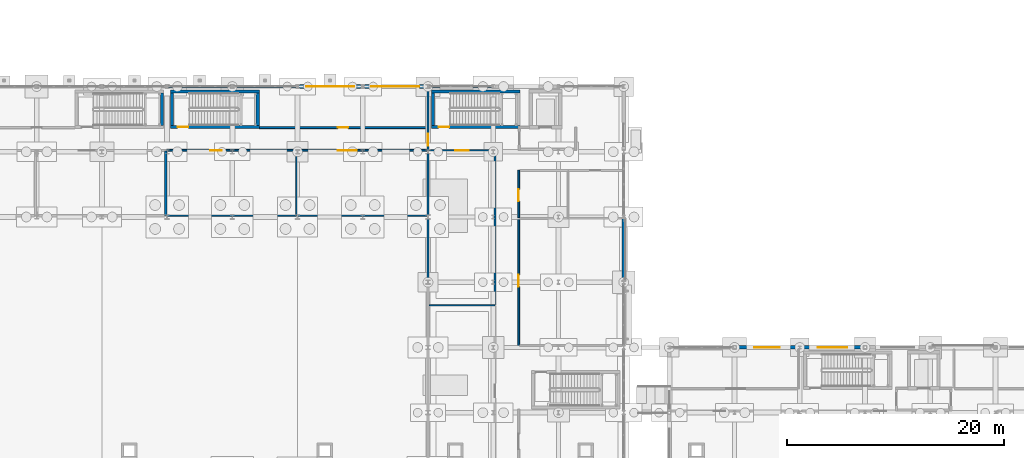
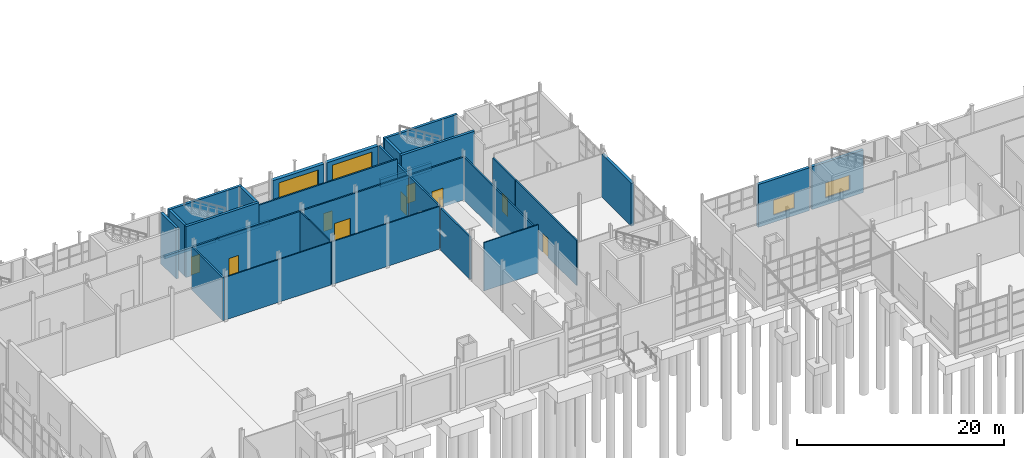
# One storey, part 97 of 120: 31 walls, 11 doors, 2 windows, 13 openings.
"""IFC4 building model written with IfcOpenShell, lengths in metres."""

from ifc_helpers import new_model, si_unit, direction, frame, frame_2d, origin, place, context, subcontext, project, spatial, rectangle, extrude, material, layer, layer_set, type_object, element, fill, save


model = new_model("IFC4")

# Units and contexts
model_context = context("Model", 3, precision=1e-05, world=origin(), true_north=direction((0.0, 1.0)))
body_context = subcontext(model_context, "Body", "Model", "MODEL_VIEW")
ifc_project = project(units=[si_unit("LENGTHUNIT", "METRE"), si_unit("AREAUNIT", "SQUARE_METRE"), si_unit("VOLUMEUNIT", "CUBIC_METRE"), si_unit("PLANEANGLEUNIT", "RADIAN"), si_unit("MASSUNIT", "GRAM", prefix="KILO")], contexts=[model_context])

# Site, building, storey
site_placement = place(None, origin())
site = spatial("IfcSite", under=ifc_project, at=site_placement, CompositionType="ELEMENT")
building_placement = place(site_placement, origin())
building = spatial("IfcBuilding", under=site, at=building_placement, Name="Siltcreek Boulevard Central Fire Station", CompositionType="ELEMENT")
storey_placement = place(building_placement, origin())
storey = spatial("IfcBuildingStorey", under=building, at=storey_placement, Name="L01", CompositionType="ELEMENT", Elevation=0.0)

# Wall
ifc_material_1 = material(Name="Concrete C40/50", Category="concrete")
ifc_layer_1 = layer(ifc_material_1, 0.280029296875, Name="Concrete C40/50")
ifc_layer_set_1 = layer_set([ifc_layer_1], Name="Concrete C40/50")
wall_type_1 = type_object("IfcWallType", Name="CW_SHEAR280", PredefinedType="SHEAR", material=ifc_layer_set_1)
wall_1_placement = place(storey_placement, frame((65.5400390625, 50.39990234375, 0.0), z_axis=(0.0, 0.0, 1.0), x_axis=(0.0, 1.0, 0.0)))
element("IfcWall", 1, at=wall_1_placement, inside=storey, type_object=wall_type_1, Name="L01 ST-V1B stair enclosure east shear wall", PredefinedType="SHEAR", context=body_context, shape_type="SweptSolid", body=[
    extrude(rectangle(XDim=3.0, YDim=0.280029296875, at=frame_2d((1.5, 0.0))), origin(), (0.0, 0.0, 1.0), 6.0),
])

# Wall, opening, door
wall_2_placement = place(storey_placement, frame((90.320068359375, 50.260009765625, 0.0), z_axis=(0.0, 0.0, 1.0), x_axis=(1.0, 0.0, 0.0)))
wall_2 = element("IfcWall", 2, at=wall_2_placement, inside=storey, type_object=wall_type_1, Name="L01 ST-V2A stair enclosure south shear wall", PredefinedType="SHEAR", context=body_context, shape_type="SweptSolid", body=[
    extrude(rectangle(XDim=8.159912109375, YDim=0.280029296875, at=frame_2d((4.080078125, 0.0))), origin(), (0.0, 0.0, 1.0), 6.0),
])
opening_1_placement = place(wall_2_placement, frame((0.64990234375, 0.0, 0.0)))
opening_1 = element("IfcOpeningElement", 3, at=opening_1_placement, cuts=wall_2, Name="Opening SD-009", PredefinedType="OPENING", context=body_context, shape_type="SweptSolid", body=[
    extrude(rectangle(XDim=0.97998046875, YDim=2.14990234375, at=frame_2d((0.489990234375, 1.074951171875))), frame((0.0, 0.14990234375, 0.0), z_axis=(0.0, -1.0, 0.0), x_axis=(1.0, 0.0, 0.0)), (0.0, 0.0, 1.0), 0.300048828125),
])
ifc_material_2 = material(Name="Hollow metal 90-min enclosed stair door")
door_type_1 = type_object("IfcDoorType", Name="DR_ST_098X215", OperationType="NOTDEFINED", PredefinedType="DOOR", material=ifc_material_2)
door_1_placement = place(opening_1_placement, origin())
door_1 = element("IfcDoor", 4, at=door_1_placement, inside=storey, type_object=door_type_1, Name="L01 ST-V2A enclosed exit stair door SD-009", OperationType="SINGLE_SWING_RIGHT", OverallHeight=2.14990234375, OverallWidth=0.97998046875, PredefinedType="DOOR", context=body_context, shape_type="SweptSolid", body=[
    extrude(rectangle(XDim=0.97998046875, YDim=2.14990234375, at=frame_2d((0.489990234375, 1.074951171875))), frame((0.0, 0.02490234375, 0.0), z_axis=(0.0, -1.0, 0.0), x_axis=(1.0, 0.0, 0.0)), (0.0, 0.0, 1.0), 0.050048828125),
])
fill(opening_1, door_1)

# Walls
wall_3_placement = place(storey_placement, frame((98.47998046875, 53.5400390625, 0.0), z_axis=(0.0, 0.0, 1.0), x_axis=(-1.0, 0.0, 0.0)))
element("IfcWall", 5, at=wall_3_placement, inside=storey, type_object=wall_type_1, Name="L01 ST-V2A stair enclosure north shear wall", PredefinedType="SHEAR", context=body_context, shape_type="SweptSolid", body=[
    extrude(rectangle(XDim=8.159912109375, YDim=0.280029296875, at=frame_2d((4.080078125, 0.0))), origin(), (0.0, 0.0, 1.0), 6.0),
])
wall_4_placement = place(storey_placement, frame((90.4599609375, 53.39990234375, 0.0), z_axis=(0.0, 0.0, 1.0), x_axis=(0.0, -1.0, 0.0)))
element("IfcWall", 6, at=wall_4_placement, inside=storey, type_object=wall_type_1, Name="L01 ST-V2A stair enclosure west shear wall", PredefinedType="SHEAR", context=body_context, shape_type="SweptSolid", body=[
    extrude(rectangle(XDim=3.0, YDim=0.280029296875, at=frame_2d((1.5, 0.0))), origin(), (0.0, 0.0, 1.0), 6.0),
])

# Wall, opening, door
wall_5_placement = place(storey_placement, frame((66.320068359375, 50.260009765625, 0.0), z_axis=(0.0, 0.0, 1.0), x_axis=(1.0, 0.0, 0.0)))
wall_5 = element("IfcWall", 7, at=wall_5_placement, inside=storey, type_object=wall_type_1, Name="L01 ST-V2C stair enclosure south shear wall", PredefinedType="SHEAR", context=body_context, shape_type="SweptSolid", body=[
    extrude(rectangle(XDim=8.159912109375, YDim=0.280029296875, at=frame_2d((4.080078125, 0.0))), origin(), (0.0, 0.0, 1.0), 6.0),
])
opening_2_placement = place(wall_5_placement, frame((0.64990234375, 0.0, 0.0)))
opening_2 = element("IfcOpeningElement", 8, at=opening_2_placement, cuts=wall_5, Name="Opening SD-015", PredefinedType="OPENING", context=body_context, shape_type="SweptSolid", body=[
    extrude(rectangle(XDim=0.97998046875, YDim=2.14990234375, at=frame_2d((0.489990234375, 1.074951171875))), frame((0.0, 0.14990234375, 0.0), z_axis=(0.0, -1.0, 0.0), x_axis=(1.0, 0.0, 0.0)), (0.0, 0.0, 1.0), 0.300048828125),
])
door_2_placement = place(opening_2_placement, origin())
door_2 = element("IfcDoor", 9, at=door_2_placement, inside=storey, type_object=door_type_1, Name="L01 ST-V2C enclosed exit stair door SD-015", OperationType="SINGLE_SWING_RIGHT", OverallHeight=2.14990234375, OverallWidth=0.97998046875, PredefinedType="DOOR", context=body_context, shape_type="SweptSolid", body=[
    extrude(rectangle(XDim=0.97998046875, YDim=2.14990234375, at=frame_2d((0.489990234375, 1.074951171875))), frame((0.0, 0.02490234375, 0.0), z_axis=(0.0, -1.0, 0.0), x_axis=(1.0, 0.0, 0.0)), (0.0, 0.0, 1.0), 0.050048828125),
])
fill(opening_2, door_2)

# Walls
wall_6_placement = place(storey_placement, frame((74.47998046875, 53.5400390625, 0.0), z_axis=(0.0, 0.0, 1.0), x_axis=(-1.0, 0.0, 0.0)))
element("IfcWall", 10, at=wall_6_placement, inside=storey, type_object=wall_type_1, Name="L01 ST-V2C stair enclosure north shear wall", PredefinedType="SHEAR", context=body_context, shape_type="SweptSolid", body=[
    extrude(rectangle(XDim=8.159912109375, YDim=0.280029296875, at=frame_2d((4.080078125, 0.0))), origin(), (0.0, 0.0, 1.0), 6.0),
])
for number, where, z_axis, x_axis, name in (
    (11, (66.4599609375, 53.39990234375, 0.0), (0.0, 0.0, 1.0), (0.0, -1.0, 0.0), "L01 ST-V2C stair enclosure west shear wall"),
    (12, (74.340087890625, 50.39990234375, 0.0), (0.0, 0.0, 1.0), (0.0, 1.0, 0.0), "L01 ST-V2C stair enclosure east shear wall"),
):
    element("IfcWall", number, at=place(storey_placement, frame(where, z_axis=z_axis, x_axis=x_axis)), inside=storey, type_object=wall_type_1, Name=name, PredefinedType="SHEAR", context=body_context, shape_type="SweptSolid", body=[
        extrude(rectangle(XDim=3.0, YDim=0.280029296875, at=frame_2d((1.5, 0.0))), origin(), (0.0, 0.0, 1.0), 6.0),
    ])

# Wall, opening, door
ifc_material_3 = material(Name="Terracotta brick rainscreen on insulated CMU", Category="masonry")
ifc_layer_2 = layer(ifc_material_3, 0.389892578125, Name="Terracotta brick rainscreen on insulated CMU")
ifc_layer_set_2 = layer_set([ifc_layer_2], Name="Terracotta brick rainscreen on insulated CMU")
wall_type_2 = type_object("IfcWallType", Name="EW_BRICK390", PredefinedType="STANDARD", material=ifc_layer_set_2)
wall_7_placement = place(storey_placement, frame((83.85498046875, 54.0, 0.0), z_axis=(0.0, 0.0, 1.0), x_axis=(-1.0, 0.0, 0.0)))
wall_7 = element("IfcWall", 13, at=wall_7_placement, inside=storey, type_object=wall_type_2, Name="L01 V1 exterior insulated rainscreen wall WL-EXT-L01-0015", PredefinedType="STANDARD", context=body_context, shape_type="SweptSolid", body=[
    extrude(rectangle(XDim=5.7099609375, YDim=0.389892578125, at=frame_2d((2.85498046875, 0.0))), origin(), (0.0, 0.0, 1.0), 5.034912109375),
])
opening_3_placement = place(wall_7_placement, frame((0.655029296875, 0.0, 0.0)))
opening_3 = element("IfcOpeningElement", 14, at=opening_3_placement, cuts=wall_7, Name="Opening ABD-06", PredefinedType="OPENING", context=body_context, shape_type="SweptSolid", body=[
    extrude(rectangle(XDim=4.39990234375, YDim=4.550048828125, at=frame_2d((2.199951171875, 2.27490234375))), frame((0.0, 0.204833984375, 0.0), z_axis=(0.0, -1.0, 0.0), x_axis=(1.0, 0.0, 0.0)), (0.0, 0.0, 1.0), 0.409912109375),
])
ifc_material_4 = material(Name="Aluminum full-vision glazed bi-fold apparatus door", Category="aluminium")
door_type_2 = type_object("IfcDoorType", Name="DR_BAY_440X455", OperationType="NOTDEFINED", PredefinedType="DOOR", material=ifc_material_4)
door_3_placement = place(opening_3_placement, frame((4.39990234375, 0.0, 0.0), z_axis=(0.0, 0.0, 1.0), x_axis=(-1.0, 0.0, 0.0)))
door_3 = element("IfcDoor", 15, at=door_3_placement, inside=storey, type_object=door_type_2, Name="Apparatus overhead bay door ABD-06", OperationType="FOLDING_TO_LEFT", OverallHeight=4.550048828125, OverallWidth=4.39990234375, PredefinedType="DOOR", context=body_context, shape_type="SweptSolid", body=[
    extrude(rectangle(XDim=4.39990234375, YDim=4.550048828125, at=frame_2d((2.199951171875, 2.27490234375))), frame((0.0, 0.02490234375, 0.0), z_axis=(0.0, -1.0, 0.0), x_axis=(1.0, 0.0, 0.0)), (0.0, 0.0, 1.0), 0.050048828125),
])
fill(opening_3, door_3)

wall_8_placement = place(storey_placement, frame((89.85498046875, 54.0, 0.0), z_axis=(0.0, 0.0, 1.0), x_axis=(-1.0, 0.0, 0.0)))
wall_8 = element("IfcWall", 16, at=wall_8_placement, inside=storey, type_object=wall_type_2, Name="L01 V1 exterior insulated rainscreen wall WL-EXT-L01-0016", PredefinedType="STANDARD", context=body_context, shape_type="SweptSolid", body=[
    extrude(rectangle(XDim=5.7099609375, YDim=0.389892578125, at=frame_2d((2.85498046875, 0.0))), origin(), (0.0, 0.0, 1.0), 5.034912109375),
])
opening_4_placement = place(wall_8_placement, frame((0.655029296875, 0.0, 0.0)))
opening_4 = element("IfcOpeningElement", 17, at=opening_4_placement, cuts=wall_8, Name="Opening ABD-07", PredefinedType="OPENING", context=body_context, shape_type="SweptSolid", body=[
    extrude(rectangle(XDim=4.39990234375, YDim=4.550048828125, at=frame_2d((2.199951171875, 2.27490234375))), frame((0.0, 0.204833984375, 0.0), z_axis=(0.0, -1.0, 0.0), x_axis=(1.0, 0.0, 0.0)), (0.0, 0.0, 1.0), 0.409912109375),
])
door_4_placement = place(opening_4_placement, frame((4.39990234375, 0.0, 0.0), z_axis=(0.0, 0.0, 1.0), x_axis=(-1.0, 0.0, 0.0)))
door_4 = element("IfcDoor", 18, at=door_4_placement, inside=storey, type_object=door_type_2, Name="Apparatus overhead bay door ABD-07", OperationType="FOLDING_TO_LEFT", OverallHeight=4.550048828125, OverallWidth=4.39990234375, PredefinedType="DOOR", context=body_context, shape_type="SweptSolid", body=[
    extrude(rectangle(XDim=4.39990234375, YDim=4.550048828125, at=frame_2d((2.199951171875, 2.27490234375))), frame((0.0, 0.02490234375, 0.0), z_axis=(0.0, -1.0, 0.0), x_axis=(1.0, 0.0, 0.0)), (0.0, 0.0, 1.0), 0.050048828125),
])
fill(opening_4, door_4)

# Walls
ifc_material_5 = material(Name="White ribbed aluminum spandrel wall", Category="aluminium")
ifc_layer_3 = layer(ifc_material_5, 0.2900390625, Name="White ribbed aluminum spandrel wall")
ifc_layer_set_3 = layer_set([ifc_layer_3], Name="White ribbed aluminum spandrel wall")
wall_type_3 = type_object("IfcWallType", Name="EW_METAL290", PredefinedType="STANDARD", material=ifc_layer_set_3)
wall_9_placement = place(storey_placement, frame((71.85498046875, 54.0, 0.0), z_axis=(0.0, 0.0, 1.0), x_axis=(-1.0, 0.0, 0.0)))
element("IfcWall", 19, at=wall_9_placement, inside=storey, type_object=wall_type_3, Name="L01 V1 curtain-wall sill spandrel 0013", PredefinedType="STANDARD", context=body_context, shape_type="SweptSolid", body=[
    extrude(rectangle(XDim=5.7099609375, YDim=0.2900390625, at=frame_2d((2.85498046875, 0.0))), origin(), (0.0, 0.0, 1.0), 0.320068359375),
])
wall_10_placement = place(storey_placement, frame((77.85498046875, 54.0, 0.0), z_axis=(0.0, 0.0, 1.0), x_axis=(-1.0, 0.0, 0.0)))
element("IfcWall", 20, at=wall_10_placement, inside=storey, type_object=wall_type_3, Name="L01 V1 curtain-wall sill spandrel 0014", PredefinedType="STANDARD", context=body_context, shape_type="SweptSolid", body=[
    extrude(rectangle(XDim=5.7099609375, YDim=0.2900390625, at=frame_2d((2.85498046875, 0.0))), origin(), (0.0, 0.0, 1.0), 0.43994140625),
])
wall_11_placement = place(storey_placement, frame((95.85498046875, 54.0, 0.0), z_axis=(0.0, 0.0, 1.0), x_axis=(-1.0, 0.0, 0.0)))
element("IfcWall", 21, at=wall_11_placement, inside=storey, type_object=wall_type_3, Name="L01 V2 curtain-wall sill spandrel 0052", PredefinedType="STANDARD", context=body_context, shape_type="SweptSolid", body=[
    extrude(rectangle(XDim=5.7099609375, YDim=0.2900390625, at=frame_2d((2.85498046875, 0.0))), origin(), (0.0, 0.0, 1.0), 0.919921875),
])
ifc_material_6 = material(Name="White ribbed aluminum insulated rainscreen panel", Category="aluminium")
ifc_layer_4 = layer(ifc_material_6, 0.320068359375, Name="White ribbed aluminum insulated rainscreen panel")
ifc_layer_set_4 = layer_set([ifc_layer_4], Name="White ribbed aluminum insulated rainscreen panel")
wall_type_4 = type_object("IfcWallType", Name="EW_METAL320", PredefinedType="STANDARD", material=ifc_layer_set_4)
wall_12_placement = place(storey_placement, frame((108.0, 36.14501953125, 0.0), z_axis=(0.0, 0.0, 1.0), x_axis=(0.0, 1.0, 0.0)))
element("IfcWall", 22, at=wall_12_placement, inside=storey, type_object=wall_type_4, Name="L01 V2 exterior insulated rainscreen wall WL-EXT-L01-0058", PredefinedType="STANDARD", context=body_context, shape_type="SweptSolid", body=[
    extrude(rectangle(XDim=5.7099609375, YDim=0.320068359375, at=frame_2d((2.85498046875, 0.0))), origin(), (0.0, 0.0, 1.0), 5.0439453125),
])

# Wall, opening, window
wall_13_placement = place(storey_placement, frame((124.054931640625, 30.0, 0.0), z_axis=(0.0, 0.0, 1.0), x_axis=(-1.0, 0.0, 0.0)))
wall_13 = element("IfcWall", 23, at=wall_13_placement, inside=storey, type_object=wall_type_4, Name="L01 V6 exterior insulated rainscreen wall WL-EXT-L01-0439", PredefinedType="STANDARD", context=body_context, shape_type="SweptSolid", body=[
    extrude(rectangle(XDim=5.7099609375, YDim=0.320068359375, at=frame_2d((2.85498046875, 0.0))), origin(), (0.0, 0.0, 1.0), 5.034912109375),
])
opening_5_placement = place(wall_13_placement, frame((1.679931640625, 0.0, 0.85009765625)))
opening_5 = element("IfcOpeningElement", 24, at=opening_5_placement, cuts=wall_13, Name="Opening WN22", PredefinedType="OPENING", context=body_context, shape_type="SweptSolid", body=[
    extrude(rectangle(XDim=2.35009765625, YDim=1.75, at=frame_2d((1.175048828125, 0.875))), frame((0.0, 0.169921875, 0.0), z_axis=(0.0, -1.0, 0.0), x_axis=(1.0, 0.0, 0.0)), (0.0, 0.0, 1.0), 0.340087890625),
])
ifc_material_7 = material(Name="Thermally broken aluminum frame with low-E insulated glass", Category="aluminium")
window_type_1 = type_object("IfcWindowType", Name="WN_PB_235X175", PartitioningType="SINGLE_PANEL", PredefinedType="WINDOW", material=ifc_material_7)
window_1_placement = place(opening_5_placement, origin())
window_1 = element("IfcWindow", 25, at=window_1_placement, inside=storey, type_object=window_type_1, Name="L01 V6 exterior window WN-0163", OverallHeight=1.75, OverallWidth=2.35009765625, PartitioningType="SINGLE_PANEL", PredefinedType="WINDOW", context=body_context, shape_type="SweptSolid", body=[
    extrude(rectangle(XDim=2.35009765625, YDim=1.75, at=frame_2d((1.175048828125, 0.875))), frame((0.0, 0.030029296875, 0.0), z_axis=(0.0, -1.0, 0.0), x_axis=(1.0, 0.0, 0.0)), (0.0, 0.0, 1.0), 0.06005859375),
])
fill(opening_5, window_1)

wall_14_placement = place(storey_placement, frame((130.054931640625, 30.0, 0.0), z_axis=(0.0, 0.0, 1.0), x_axis=(-1.0, 0.0, 0.0)))
wall_14 = element("IfcWall", 26, at=wall_14_placement, inside=storey, type_object=wall_type_4, Name="L01 V6 exterior insulated rainscreen wall WL-EXT-L01-0440", PredefinedType="STANDARD", context=body_context, shape_type="SweptSolid", body=[
    extrude(rectangle(XDim=5.7099609375, YDim=0.320068359375, at=frame_2d((2.85498046875, 0.0))), origin(), (0.0, 0.0, 1.0), 5.034912109375),
])
opening_6_placement = place(wall_14_placement, frame((1.5048828125, 0.0, 0.85009765625)))
opening_6 = element("IfcOpeningElement", 27, at=opening_6_placement, cuts=wall_14, Name="Opening WN23", PredefinedType="OPENING", context=body_context, shape_type="SweptSolid", body=[
    extrude(rectangle(XDim=2.699951171875, YDim=1.75, at=frame_2d((1.35009765625, 0.875))), frame((0.0, 0.169921875, 0.0), z_axis=(0.0, -1.0, 0.0), x_axis=(1.0, 0.0, 0.0)), (0.0, 0.0, 1.0), 0.340087890625),
])
window_type_2 = type_object("IfcWindowType", Name="WN_PB_270X175", PartitioningType="SINGLE_PANEL", PredefinedType="WINDOW", material=ifc_material_7)
window_2_placement = place(opening_6_placement, origin())
window_2 = element("IfcWindow", 28, at=window_2_placement, inside=storey, type_object=window_type_2, Name="L01 V6 exterior window WN-0164", OverallHeight=1.75, OverallWidth=2.699951171875, PartitioningType="SINGLE_PANEL", PredefinedType="WINDOW", context=body_context, shape_type="SweptSolid", body=[
    extrude(rectangle(XDim=2.699951171875, YDim=1.75, at=frame_2d((1.35009765625, 0.875))), frame((0.0, 0.030029296875, 0.0), z_axis=(0.0, -1.0, 0.0), x_axis=(1.0, 0.0, 0.0)), (0.0, 0.0, 1.0), 0.06005859375),
])
fill(opening_6, window_2)

# Walls
ifc_material_8 = material(Name="Fire-rated concrete masonry and gypsum barrier", Category="masonry")
ifc_layer_5 = layer(ifc_material_8, 0.199951171875, Name="Fire-rated concrete masonry and gypsum barrier")
ifc_layer_set_5 = layer_set([ifc_layer_5], Name="Fire-rated concrete masonry and gypsum barrier")
wall_type_5 = type_object("IfcWallType", Name="IW_FIRE200", PredefinedType="PARTITIONING", material=ifc_layer_set_5)
wall_15_placement = place(storey_placement, frame((90.0, 36.179931640625, 0.0), z_axis=(0.0, 0.0, 1.0), x_axis=(0.0, 1.0, 0.0)))
element("IfcWall", 29, at=wall_15_placement, inside=storey, type_object=wall_type_5, Name="L01 station fire-barrier wall FW-4", PredefinedType="PARTITIONING", context=body_context, shape_type="SweptSolid", body=[
    extrude(rectangle(XDim=5.64013671875, YDim=0.199951171875, at=frame_2d((2.820068359375, 0.0))), origin(), (0.0, 0.0, 1.0), 4.958984375),
])
wall_16_placement = place(storey_placement, frame((90.0, 42.179931640625, 0.0), z_axis=(0.0, 0.0, 1.0), x_axis=(0.0, 1.0, 0.0)))
element("IfcWall", 30, at=wall_16_placement, inside=storey, type_object=wall_type_5, Name="L01 station fire-barrier wall FW-5", PredefinedType="PARTITIONING", context=body_context, shape_type="SweptSolid", body=[
    extrude(rectangle(XDim=5.719970703125, YDim=0.199951171875, at=frame_2d((2.85986328125, 0.0))), origin(), (0.0, 0.0, 1.0), 5.0439453125),
])

# Wall, opening, door
wall_17_placement = place(storey_placement, frame((90.0, 48.050048828125, 0.0), z_axis=(0.0, 0.0, 1.0), x_axis=(0.0, 1.0, 0.0)))
wall_17 = element("IfcWall", 31, at=wall_17_placement, inside=storey, type_object=wall_type_5, Name="L01 station fire-barrier wall FW-6", PredefinedType="PARTITIONING", context=body_context, shape_type="SweptSolid", body=[
    extrude(rectangle(XDim=5.77001953125, YDim=0.199951171875, at=frame_2d((2.885009765625, 0.0))), origin(), (0.0, 0.0, 1.0), 5.0439453125),
])
opening_7_placement = place(wall_17_placement, frame((0.52001953125, 0.0, 0.0)))
opening_7 = element("IfcOpeningElement", 32, at=opening_7_placement, cuts=wall_17, Name="Opening DD01", PredefinedType="OPENING", context=body_context, shape_type="SweptSolid", body=[
    extrude(rectangle(XDim=1.080078125, YDim=2.139892578125, at=frame_2d((0.5400390625, 1.06982421875))), frame((0.0, 0.10986328125, 0.0), z_axis=(0.0, -1.0, 0.0), x_axis=(1.0, 0.0, 0.0)), (0.0, 0.0, 1.0), 0.219970703125),
])
ifc_material_9 = material(Name="Stainless steel positive-pressure decon airlock door", Category="steel")
door_type_3 = type_object("IfcDoorType", Name="DR_DEC_108X214", OperationType="NOTDEFINED", PredefinedType="DOOR", material=ifc_material_9)
door_5_placement = place(opening_7_placement, frame((1.080078125, 0.0, 0.0), z_axis=(0.0, 0.0, 1.0), x_axis=(-1.0, 0.0, 0.0)))
door_5 = element("IfcDoor", 33, at=door_5_placement, inside=storey, type_object=door_type_3, Name="L01 decon-to-crew corridor fire-barrier door DD01", OperationType="SINGLE_SWING_LEFT", OverallHeight=2.139892578125, OverallWidth=1.080078125, PredefinedType="DOOR", context=body_context, shape_type="SweptSolid", body=[
    extrude(rectangle(XDim=1.080078125, YDim=2.139892578125, at=frame_2d((0.5400390625, 1.06982421875))), frame((0.0, 0.02490234375, 0.0), z_axis=(0.0, -1.0, 0.0), x_axis=(1.0, 0.0, 0.0)), (0.0, 0.0, 1.0), 0.050048828125),
])
fill(opening_7, door_5)

# Walls
wall_18_placement = place(storey_placement, frame((65.8798828125, 48.050048828125, 0.0), z_axis=(0.0, 0.0, 1.0), x_axis=(0.0, -1.0, 0.0)))
element("IfcWall", 34, at=wall_18_placement, inside=storey, type_object=wall_type_5, Name="L01 PPE Extractor and Drying Laundry Room partition 0046", PredefinedType="PARTITIONING", context=body_context, shape_type="SweptSolid", body=[
    extrude(rectangle(XDim=5.969970703125, YDim=0.199951171875, at=frame_2d((2.98486328125, 0.0))), origin(), (0.0, 0.0, 1.0), 5.0439453125),
])
ifc_material_10 = material(Name="Interior steel stud gypsum partition", Category="steel")
ifc_layer_6 = layer(ifc_material_10, 0.125, Name="Interior steel stud gypsum partition")
ifc_layer_set_6 = layer_set([ifc_layer_6], Name="Interior steel stud gypsum partition")
wall_type_6 = type_object("IfcWallType", Name="IW_PART125", PredefinedType="PARTITIONING", material=ifc_layer_set_6)
wall_19_placement = place(storey_placement, frame((77.8798828125, 48.050048828125, 0.0), z_axis=(0.0, 0.0, 1.0), x_axis=(0.0, -1.0, 0.0)))
element("IfcWall", 35, at=wall_19_placement, inside=storey, type_object=wall_type_6, Name="L01 Turnout Gear Ready Room partition 0049", PredefinedType="PARTITIONING", context=body_context, shape_type="SweptSolid", body=[
    extrude(rectangle(XDim=5.9326171875, YDim=0.125, at=frame_2d((2.96630859375, 0.0))), origin(), (0.0, 0.0, 1.0), 5.0439453125),
])
wall_20_placement = place(storey_placement, frame((77.8173828125, 42.1201171875, 0.0), z_axis=(0.0, 0.0, 1.0), x_axis=(-1.0, 0.0, 0.0)))
element("IfcWall", 36, at=wall_20_placement, inside=storey, type_object=wall_type_6, Name="L01 Turnout Gear Ready Room partition 0050", PredefinedType="PARTITIONING", context=body_context, shape_type="SweptSolid", body=[
    extrude(rectangle(XDim=11.83740234375, YDim=0.125, at=frame_2d((5.918701171875, 0.0))), origin(), (0.0, 0.0, 1.0), 5.034912109375),
])
wall_21_placement = place(storey_placement, frame((89.89990234375, 42.1201171875, 0.0), z_axis=(0.0, 0.0, 1.0), x_axis=(-1.0, 0.0, 0.0)))
element("IfcWall", 37, at=wall_21_placement, inside=storey, type_object=wall_type_6, Name="L01 SCBA Breathing Air Fill Lab partition 0052", PredefinedType="PARTITIONING", context=body_context, shape_type="SweptSolid", body=[
    extrude(rectangle(XDim=11.95751953125, YDim=0.125, at=frame_2d((5.978759765625, 0.0))), origin(), (0.0, 0.0, 1.0), 5.034912109375),
])
wall_22_placement = place(storey_placement, frame((90.10009765625, 33.8798828125, 0.0), z_axis=(0.0, 0.0, 1.0), x_axis=(1.0, 0.0, 0.0)))
element("IfcWall", 38, at=wall_22_placement, inside=storey, type_object=wall_type_6, Name="L01 Battalion Chief Duty Office partition 0055", PredefinedType="PARTITIONING", context=body_context, shape_type="SweptSolid", body=[
    extrude(rectangle(XDim=6.0625, YDim=0.125, at=frame_2d((3.03125, 0.0))), origin(), (0.0, 0.0, 1.0), 5.679931640625),
])

# Wall, opening, door
ifc_material_11 = material(Name="Acoustic smoke-barrier steel stud gypsum wall", Category="steel")
ifc_layer_7 = layer(ifc_material_11, 0.1650390625, Name="Acoustic smoke-barrier steel stud gypsum wall")
ifc_layer_set_7 = layer_set([ifc_layer_7], Name="Acoustic smoke-barrier steel stud gypsum wall")
wall_type_7 = type_object("IfcWallType", Name="IW_SMK165", PredefinedType="PARTITIONING", material=ifc_layer_set_7)
wall_23_placement = place(storey_placement, frame((65.97998046875, 48.1298828125, 0.0), z_axis=(0.0, 0.0, 1.0), x_axis=(1.0, 0.0, 0.0)))
wall_23 = element("IfcWall", 39, at=wall_23_placement, inside=storey, type_object=wall_type_7, Name="L01 Turnout Gear Ready Room partition 0048", PredefinedType="PARTITIONING", context=body_context, shape_type="SweptSolid", body=[
    extrude(rectangle(XDim=11.922607421875, YDim=0.1650390625, at=frame_2d((5.96142578125, 0.0))), origin(), (0.0, 0.0, 1.0), 5.034912109375),
])
opening_8_placement = place(wall_23_placement, frame((3.97314453125, 0.0, 0.0)))
opening_8 = element("IfcOpeningElement", 40, at=opening_8_placement, cuts=wall_23, Name="Opening ID12", PredefinedType="OPENING", context=body_context, shape_type="SweptSolid", body=[
    extrude(rectangle(XDim=1.06005859375, YDim=2.25, at=frame_2d((0.530029296875, 1.125))), frame((0.0, 0.092529296875, 0.0), z_axis=(0.0, -1.0, 0.0), x_axis=(1.0, 0.0, 0.0)), (0.0, 0.0, 1.0), 0.18505859375),
])
ifc_material_12 = material(Name="Hardened steel radio vault security door", Category="steel")
door_type_4 = type_object("IfcDoorType", Name="DR_VLT_106X225", OperationType="NOTDEFINED", PredefinedType="DOOR", material=ifc_material_12)
door_6_placement = place(opening_8_placement, frame((1.06005859375, 0.0, 0.0), z_axis=(0.0, 0.0, 1.0), x_axis=(-1.0, 0.0, 0.0)))
door_6 = element("IfcDoor", 41, at=door_6_placement, inside=storey, type_object=door_type_4, Name="L01 Turnout Gear Ready Room door ID-0021", OperationType="SINGLE_SWING_RIGHT", OverallHeight=2.25, OverallWidth=1.06005859375, PredefinedType="DOOR", context=body_context, shape_type="SweptSolid", body=[
    extrude(rectangle(XDim=1.06005859375, YDim=2.25, at=frame_2d((0.530029296875, 1.125))), frame((0.0, 0.02490234375, 0.0), z_axis=(0.0, -1.0, 0.0), x_axis=(1.0, 0.0, 0.0)), (0.0, 0.0, 1.0), 0.050048828125),
])
fill(opening_8, door_6)

wall_24_placement = place(storey_placement, frame((77.9423828125, 48.1298828125, 0.0), z_axis=(0.0, 0.0, 1.0), x_axis=(1.0, 0.0, 0.0)))
wall_24 = element("IfcWall", 42, at=wall_24_placement, inside=storey, type_object=wall_type_7, Name="L01 SCBA Breathing Air Fill Lab partition 0051", PredefinedType="PARTITIONING", context=body_context, shape_type="SweptSolid", body=[
    extrude(rectangle(XDim=11.95751953125, YDim=0.1650390625, at=frame_2d((5.978759765625, 0.0))), origin(), (0.0, 0.0, 1.0), 5.034912109375),
])
opening_9_placement = place(wall_24_placement, frame((3.751708984375, 0.0, 0.0)))
opening_9 = element("IfcOpeningElement", 43, at=opening_9_placement, cuts=wall_24, Name="Opening AD01", PredefinedType="OPENING", context=body_context, shape_type="SweptSolid", body=[
    extrude(rectangle(XDim=1.760009765625, YDim=2.260009765625, at=frame_2d((0.8798828125, 1.1298828125))), frame((0.0, 0.092529296875, 0.0), z_axis=(0.0, -1.0, 0.0), x_axis=(1.0, 0.0, 0.0)), (0.0, 0.0, 1.0), 0.18505859375),
])
ifc_material_13 = material(Name="Acoustic solid-core lecture theatre vomitory pair")
door_type_5 = type_object("IfcDoorType", Name="DR_TH_176X226", OperationType="NOTDEFINED", PredefinedType="DOOR", material=ifc_material_13)
door_7_placement = place(opening_9_placement, frame((1.760009765625, 0.0, 0.0), z_axis=(0.0, 0.0, 1.0), x_axis=(-1.0, 0.0, 0.0)))
door_7 = element("IfcDoor", 44, at=door_7_placement, inside=storey, type_object=door_type_5, Name="L01 SCBA Breathing Air Fill Lab door ID-0022", OperationType="DOUBLE_DOOR_SINGLE_SWING", OverallHeight=2.260009765625, OverallWidth=1.760009765625, PredefinedType="DOOR", context=body_context, shape_type="SweptSolid", body=[
    extrude(rectangle(XDim=1.760009765625, YDim=2.260009765625, at=frame_2d((0.8798828125, 1.1298828125))), frame((0.0, 0.02490234375, 0.0), z_axis=(0.0, -1.0, 0.0), x_axis=(1.0, 0.0, 0.0)), (0.0, 0.0, 1.0), 0.050048828125),
])
fill(opening_9, door_7)

wall_25_placement = place(storey_placement, frame((89.89990234375, 50.219970703125, 0.0), z_axis=(0.0, 0.0, 1.0), x_axis=(-1.0, 0.0, 0.0)))
wall_25 = element("IfcWall", 45, at=wall_25_placement, inside=storey, type_object=wall_type_7, Name="L01 Clean Turnout Uniform Issue Room partition 0054", PredefinedType="PARTITIONING", context=body_context, shape_type="SweptSolid", body=[
    extrude(rectangle(XDim=15.419921875, YDim=0.1650390625, at=frame_2d((7.7099609375, 0.0))), origin(), (0.0, 0.0, 1.0), 5.679931640625),
])
opening_10_placement = place(wall_25_placement, frame((7.235107421875, 0.0, 0.0)))
opening_10 = element("IfcOpeningElement", 46, at=opening_10_placement, cuts=wall_25, Name="Opening ID05", PredefinedType="OPENING", context=body_context, shape_type="SweptSolid", body=[
    extrude(rectangle(XDim=0.949951171875, YDim=2.1201171875, at=frame_2d((0.47509765625, 1.06005859375))), frame((0.0, 0.092529296875, 0.0), z_axis=(0.0, -1.0, 0.0), x_axis=(1.0, 0.0, 0.0)), (0.0, 0.0, 1.0), 0.18505859375),
])
ifc_material_14 = material(Name="STC-45 officer bunk suite door")
door_type_6 = type_object("IfcDoorType", Name="DR_OFS_095X212", OperationType="NOTDEFINED", PredefinedType="DOOR", material=ifc_material_14)
door_8_placement = place(opening_10_placement, frame((0.949951171875, 0.0, 0.0), z_axis=(0.0, 0.0, 1.0), x_axis=(-1.0, 0.0, 0.0)))
door_8 = element("IfcDoor", 47, at=door_8_placement, inside=storey, type_object=door_type_6, Name="L01 Clean Turnout Uniform Issue Room door ID-0024", OperationType="SINGLE_SWING_LEFT", OverallHeight=2.1201171875, OverallWidth=0.949951171875, PredefinedType="DOOR", context=body_context, shape_type="SweptSolid", body=[
    extrude(rectangle(XDim=0.949951171875, YDim=2.1201171875, at=frame_2d((0.47509765625, 1.06005859375))), frame((0.0, 0.02490234375, 0.0), z_axis=(0.0, -1.0, 0.0), x_axis=(1.0, 0.0, 0.0)), (0.0, 0.0, 1.0), 0.050048828125),
])
fill(opening_10, door_8)

wall_26_placement = place(storey_placement, frame((90.10009765625, 48.1298828125, 0.0), z_axis=(0.0, 0.0, 1.0), x_axis=(1.0, 0.0, 0.0)))
wall_26 = element("IfcWall", 48, at=wall_26_placement, inside=storey, type_object=wall_type_7, Name="L01 Company Officer Report Room partition 0057", PredefinedType="PARTITIONING", context=body_context, shape_type="SweptSolid", body=[
    extrude(rectangle(XDim=6.08251953125, YDim=0.1650390625, at=frame_2d((3.041259765625, 0.0))), origin(), (0.0, 0.0, 1.0), 5.034912109375),
])
opening_11_placement = place(wall_26_placement, frame((2.411376953125, 0.0, 0.0)))
opening_11 = element("IfcOpeningElement", 49, at=opening_11_placement, cuts=wall_26, Name="Opening ID10", PredefinedType="OPENING", context=body_context, shape_type="SweptSolid", body=[
    extrude(rectangle(XDim=1.260009765625, YDim=2.199951171875, at=frame_2d((0.6298828125, 1.10009765625))), frame((0.0, 0.092529296875, 0.0), z_axis=(0.0, -1.0, 0.0), x_axis=(1.0, 0.0, 0.0)), (0.0, 0.0, 1.0), 0.18505859375),
])
ifc_material_15 = material(Name="Hollow metal equipment storage door")
door_type_7 = type_object("IfcDoorType", Name="DR_STR_126X220", OperationType="NOTDEFINED", PredefinedType="DOOR", material=ifc_material_15)
door_9_placement = place(opening_11_placement, frame((1.260009765625, 0.0, 0.0), z_axis=(0.0, 0.0, 1.0), x_axis=(-1.0, 0.0, 0.0)))
door_9 = element("IfcDoor", 50, at=door_9_placement, inside=storey, type_object=door_type_7, Name="L01 Company Officer Report Room door ID-0026", OperationType="SINGLE_SWING_LEFT", OverallHeight=2.199951171875, OverallWidth=1.260009765625, PredefinedType="DOOR", context=body_context, shape_type="SweptSolid", body=[
    extrude(rectangle(XDim=1.260009765625, YDim=2.199951171875, at=frame_2d((0.6298828125, 1.10009765625))), frame((0.0, 0.02490234375, 0.0), z_axis=(0.0, -1.0, 0.0), x_axis=(1.0, 0.0, 0.0)), (0.0, 0.0, 1.0), 0.050048828125),
])
fill(opening_11, door_9)

# Wall
wall_27_placement = place(storey_placement, frame((96.159912109375, 48.050048828125, 0.0), z_axis=(0.0, 0.0, 1.0), x_axis=(0.0, -1.0, 0.0)))
element("IfcWall", 51, at=wall_27_placement, inside=storey, type_object=wall_type_7, Name="L01 Company Officer Report Room partition 0058", PredefinedType="PARTITIONING", context=body_context, shape_type="SweptSolid", body=[
    extrude(rectangle(XDim=14.107666015625, YDim=0.1650390625, at=frame_2d((7.0537109375, 0.0))), origin(), (0.0, 0.0, 1.0), 5.0439453125),
])

# Wall, opening, door
wall_28_placement = place(storey_placement, frame((98.340087890625, 30.1474609375, 0.0), z_axis=(0.0, 0.0, 1.0), x_axis=(0.0, 1.0, 0.0)))
wall_28 = element("IfcWall", 52, at=wall_28_placement, inside=storey, type_object=wall_type_7, Name="L01 Station Duty Locker Room partition 0060", PredefinedType="PARTITIONING", context=body_context, shape_type="SweptSolid", body=[
    extrude(rectangle(XDim=11.755126953125, YDim=0.1650390625, at=frame_2d((5.87744140625, 0.0))), origin(), (0.0, 0.0, 1.0), 5.2939453125),
])
opening_12_placement = place(wall_28_placement, frame((5.4580078125, 0.0, 0.0)))
opening_12 = element("IfcOpeningElement", 53, at=opening_12_placement, cuts=wall_28, Name="Opening ID12", PredefinedType="OPENING", context=body_context, shape_type="SweptSolid", body=[
    extrude(rectangle(XDim=1.06005859375, YDim=2.25, at=frame_2d((0.530029296875, 1.125))), frame((0.0, 0.092529296875, 0.0), z_axis=(0.0, -1.0, 0.0), x_axis=(1.0, 0.0, 0.0)), (0.0, 0.0, 1.0), 0.18505859375),
])
door_10_placement = place(opening_12_placement, frame((1.06005859375, 0.0, 0.0), z_axis=(0.0, 0.0, 1.0), x_axis=(-1.0, 0.0, 0.0)))
door_10 = element("IfcDoor", 54, at=door_10_placement, inside=storey, type_object=door_type_4, Name="L01 Station Duty Locker Room door ID-0028", OperationType="SINGLE_SWING_LEFT", OverallHeight=2.25, OverallWidth=1.06005859375, PredefinedType="DOOR", context=body_context, shape_type="SweptSolid", body=[
    extrude(rectangle(XDim=1.06005859375, YDim=2.25, at=frame_2d((0.530029296875, 1.125))), frame((0.0, 0.02490234375, 0.0), z_axis=(0.0, -1.0, 0.0), x_axis=(1.0, 0.0, 0.0)), (0.0, 0.0, 1.0), 0.050048828125),
])
fill(opening_12, door_10)

wall_29_placement = place(storey_placement, frame((98.340087890625, 41.9423828125, 0.0), z_axis=(0.0, 0.0, 1.0), x_axis=(0.0, 1.0, 0.0)))
wall_29 = element("IfcWall", 55, at=wall_29_placement, inside=storey, type_object=wall_type_7, Name="L01 Crew Accessible Toilet L01 partition 0063", PredefinedType="PARTITIONING", context=body_context, shape_type="SweptSolid", body=[
    extrude(rectangle(XDim=4.360107421875, YDim=0.1650390625, at=frame_2d((2.18017578125, 0.0))), origin(), (0.0, 0.0, 1.0), 5.2490234375),
])
opening_13_placement = place(wall_29_placement, frame((1.526123046875, 0.0, 0.0)))
opening_13 = element("IfcOpeningElement", 56, at=opening_13_placement, cuts=wall_29, Name="Opening DD01", PredefinedType="OPENING", context=body_context, shape_type="SweptSolid", body=[
    extrude(rectangle(XDim=1.080078125, YDim=2.139892578125, at=frame_2d((0.5400390625, 1.06982421875))), frame((0.0, 0.092529296875, 0.0), z_axis=(0.0, -1.0, 0.0), x_axis=(1.0, 0.0, 0.0)), (0.0, 0.0, 1.0), 0.18505859375),
])
door_11_placement = place(opening_13_placement, frame((1.080078125, 0.0, 0.0), z_axis=(0.0, 0.0, 1.0), x_axis=(-1.0, 0.0, 0.0)))
door_11 = element("IfcDoor", 57, at=door_11_placement, inside=storey, type_object=door_type_3, Name="L01 Crew Accessible Toilet L01 door ID-0029", OperationType="SINGLE_SWING_RIGHT", OverallHeight=2.139892578125, OverallWidth=1.080078125, PredefinedType="DOOR", context=body_context, shape_type="SweptSolid", body=[
    extrude(rectangle(XDim=1.080078125, YDim=2.139892578125, at=frame_2d((0.5400390625, 1.06982421875))), frame((0.0, 0.02490234375, 0.0), z_axis=(0.0, -1.0, 0.0), x_axis=(1.0, 0.0, 0.0)), (0.0, 0.0, 1.0), 0.050048828125),
])
fill(opening_13, door_11)

save(model, "model.ifc")
